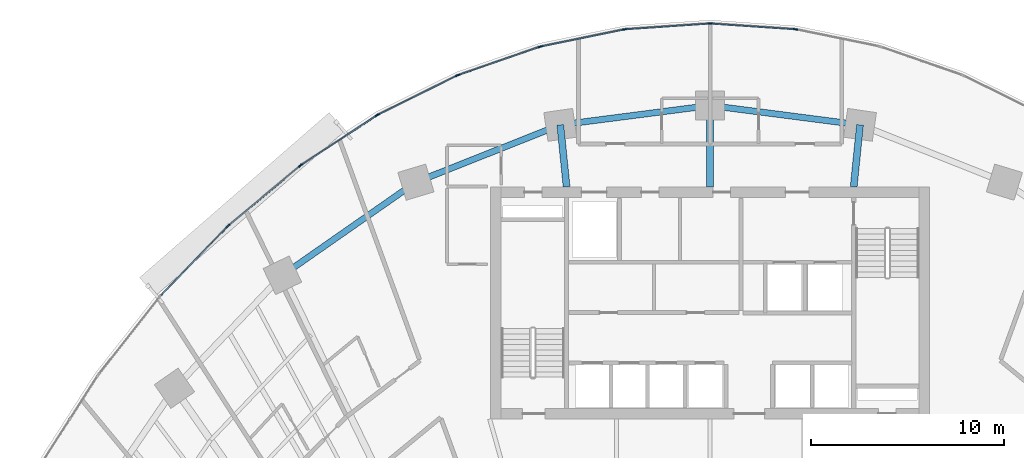
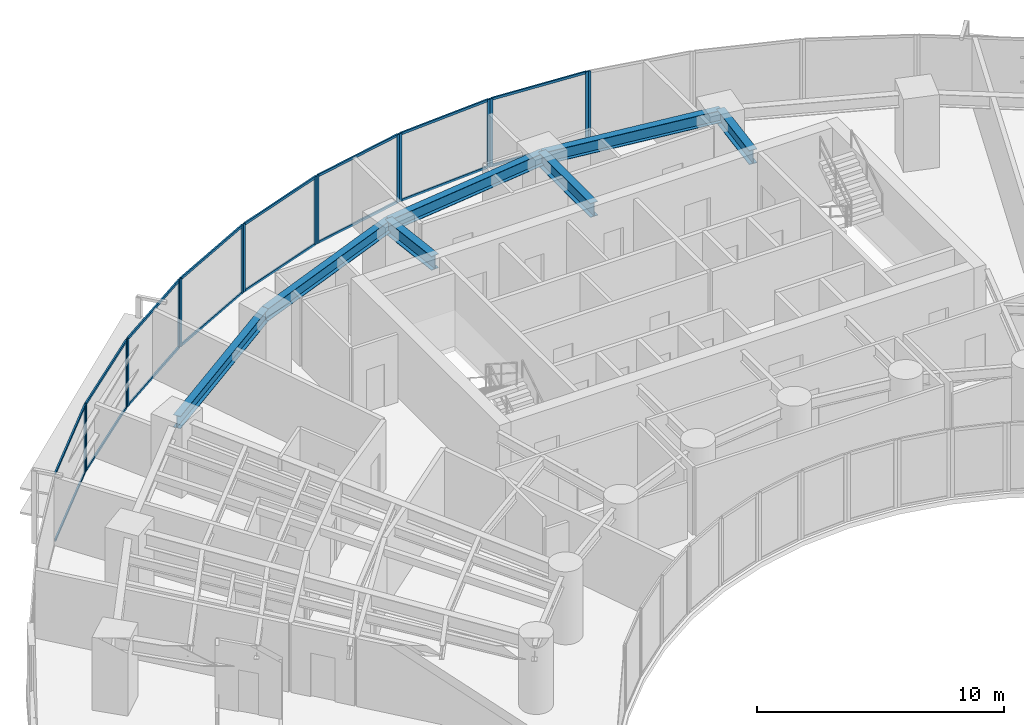
# One storey, part 6 of 17: 32 members, 7 beams, 9 elements without a shape of their own.
"""IFC4 building model written with IfcOpenShell, lengths in metres."""

from ifc_helpers import new_model, si_unit, direction, frame, origin, origin_2d, place, context, subcontext, project, spatial, rectangle, i_section, extrude, source, transform, mapped, material, layer, layer_set, material_profile, profile_set, type_object, type_shapes, element, aggregate, save


model = new_model("IFC4")

# Units and contexts
model_context = context("Model", 3, precision=1e-05, world=origin(), true_north=direction((0.0, 1.0)))
body_context = subcontext(model_context, "Body", "Model", "MODEL_VIEW")
ifc_project = project(units=[si_unit("LENGTHUNIT", "METRE"), si_unit("AREAUNIT", "SQUARE_METRE"), si_unit("VOLUMEUNIT", "CUBIC_METRE"), si_unit("PLANEANGLEUNIT", "RADIAN"), si_unit("MASSUNIT", "GRAM", prefix="KILO")], contexts=[model_context])

# Site, building, storey
site_placement = place(None, origin())
site = spatial("IfcSite", under=ifc_project, at=site_placement, CompositionType="ELEMENT")
building_placement = place(site_placement, origin())
building = spatial("IfcBuilding", under=site, at=building_placement, Name="Breltana Convention Tower", CompositionType="ELEMENT")
storey_placement = place(building_placement, frame((0.0, 0.0, 71.39990234375)))
storey = spatial("IfcBuildingStorey", under=building, at=storey_placement, Name="L16", CompositionType="ELEMENT", Elevation=71.39990234375)

# Beams
ifc_material_1 = material(Name="Steel ASTM A992 Grade 50", Category="steel")
ifc_material_profile_1 = material_profile(ifc_material_1, i_section(OverallWidth=0.323974609375, OverallDepth=0.611083984375, WebThickness=0.0126953125, FlangeThickness=0.01904296875, at=origin_2d()), Name="W24X104")
ifc_profile_set_1 = profile_set([ifc_material_profile_1], Name="Steel ASTM A992 Grade 50")
beam_type_1 = type_object("IfcBeamType", Name="BM-SP-W24X104", PredefinedType="SPANDREL", material=ifc_profile_set_1)
shared_shape_1 = source(origin(), body_context, "Body", "SweptSolid", [
    extrude(i_section(OverallWidth=0.323974609375, OverallDepth=0.611083984375, WebThickness=0.0126953125, FlangeThickness=0.01904296875, at=origin_2d()), origin(), (0.0, 0.0, 1.0), 8.4169921875),
])
beam_1_placement = place(storey_placement, frame((25.8876953125, 67.626953125, 3.0546875), z_axis=(0.820173800102, 0.572114444519, 0.0), x_axis=(-0.572114444519, 0.820173800102, 0.0)))
element("IfcBeam", 1, at=beam_1_placement, inside=storey, type_object=beam_type_1, Name="L16 Outer Spandrel Beam 03", PredefinedType="SPANDREL", context=body_context, shape_type="MappedRepresentation", body=[
    mapped(shared_shape_1, transform((0.0, 0.0, 0.0), scale=1.0)),
])
shared_shape_2 = source(origin(), body_context, "Body", "SweptSolid", [
    extrude(i_section(OverallWidth=0.323974609375, OverallDepth=0.611083984375, WebThickness=0.0126953125, FlangeThickness=0.01904296875, at=origin_2d()), origin(), (0.0, 0.0, 1.0), 8.028564453125),
])
beam_2_placement = place(storey_placement, frame((32.791015625, 72.4423828125, 3.0546875), z_axis=(0.929459100394, 0.368925169507, 0.0), x_axis=(-0.368925169507, 0.929459100394, 0.0)))
element("IfcBeam", 2, at=beam_2_placement, inside=storey, type_object=beam_type_1, Name="L16 Outer Spandrel Beam 04", PredefinedType="SPANDREL", context=body_context, shape_type="MappedRepresentation", body=[
    mapped(shared_shape_2, transform((0.0, 0.0, 0.0), scale=1.0)),
])
shared_shape_3 = source(origin(), body_context, "Body", "SweptSolid", [
    extrude(i_section(OverallWidth=0.323974609375, OverallDepth=0.611083984375, WebThickness=0.0126953125, FlangeThickness=0.01904296875, at=origin_2d()), origin(), (0.0, 0.0, 1.0), 7.81103515625),
])
for number, where, z_axis, x_axis, name in (
    (3, (40.253173828125, 75.404296875, 3.0546875), (0.991775179127, 0.127992164083, 0.0), (-0.127992164083, 0.991775179127, 0.0), "L16 Outer Spandrel Beam 05"),
    (4, (48.0, 76.404052734375, 3.0546875), (0.991775179127, -0.127992164083, 0.0), (0.127992164083, 0.991775179127, 0.0), "L16 Outer Spandrel Beam 06"),
):
    element("IfcBeam", number, at=place(storey_placement, frame(where, z_axis=z_axis, x_axis=x_axis)), inside=storey, type_object=beam_type_1, Name=name, PredefinedType="SPANDREL", context=body_context, shape_type="MappedRepresentation", body=[
        mapped(shared_shape_3, transform((0.0, 0.0, 0.0), scale=1.0)),
    ])
ifc_material_profile_2 = material_profile(ifc_material_1, i_section(OverallWidth=0.35498046875, OverallDepth=0.696044921875, WebThickness=0.015380859375, FlangeThickness=0.02490234375, at=origin_2d()), Name="W27X146")
ifc_profile_set_2 = profile_set([ifc_material_profile_2], Name="Steel ASTM A992 Grade 50")
beam_type_2 = type_object("IfcBeamType", Name="BM-RG-W27X146", PredefinedType="USERDEFINED", material=ifc_profile_set_2)
shared_shape_4 = source(origin(), body_context, "Body", "SweptSolid", [
    extrude(i_section(OverallWidth=0.35498046875, OverallDepth=0.696044921875, WebThickness=0.015380859375, FlangeThickness=0.02490234375, at=origin_2d()), origin(), (0.0, 0.0, 1.0), 3.220947265625),
])
for number, where, z_axis, x_axis, name in (
    (5, (40.580078125, 72.199951171875, 3.01220703125), (-0.101492254858, 0.994836329355, 0.0), (-0.994836329355, -0.101492254858, 0.0), "L16 North Core Radial Girder R05"),
    (6, (55.419921875, 72.199951171875, 3.01220703125), (0.101492254858, 0.994836329355, 0.0), (-0.994836329355, 0.101492254858, 0.0), "L16 North Core Radial Girder R07"),
):
    element("IfcBeam", number, at=place(storey_placement, frame(where, z_axis=z_axis, x_axis=x_axis)), inside=storey, type_object=beam_type_2, Name=name, ObjectType="GIRDER", PredefinedType="USERDEFINED", context=body_context, shape_type="MappedRepresentation", body=[
        mapped(shared_shape_4, transform((0.0, 0.0, 0.0), scale=1.0)),
    ])
shared_shape_5 = source(origin(), body_context, "Body", "SweptSolid", [
    extrude(i_section(OverallWidth=0.35498046875, OverallDepth=0.696044921875, WebThickness=0.015380859375, FlangeThickness=0.02490234375, at=origin_2d()), origin(), (0.0, 0.0, 1.0), 4.2041015625),
])
beam_3_placement = place(storey_placement, frame((48.0, 72.199951171875, 3.01220703125), z_axis=(0.0, 1.0, 0.0), x_axis=(-1.0, 0.0, 0.0)))
element("IfcBeam", 7, at=beam_3_placement, inside=storey, type_object=beam_type_2, Name="L16 North Core Radial Girder R06", ObjectType="GIRDER", PredefinedType="USERDEFINED", context=body_context, shape_type="MappedRepresentation", body=[
    mapped(shared_shape_5, transform((0.0, 0.0, 0.0), scale=1.0)),
])

# Curtain wall, member
ifc_material_2 = material(Name="Aluminium Anodised Bronze Frame", Category="aluminium")
ifc_layer = layer(ifc_material_2, 0.199951171875, Name="Aluminium Anodised Bronze Frame")
ifc_layer_set = layer_set([ifc_layer], Name="Aluminium Anodised Bronze Frame")
curtain_wall_type = type_object("IfcCurtainWallType", Name="CW-SYS-2", PredefinedType="NOTDEFINED", material=ifc_layer_set)
curtain_wall_1_placement = place(storey_placement, origin())
curtain_wall_1 = element("IfcCurtainWall", 8, at=curtain_wall_1_placement, inside=storey, type_object=curtain_wall_type, Name="L16 outer double-skin inner glazing 3", PredefinedType="NOTDEFINED")
ifc_material_3 = material(Name="Aluminium Anodised Bronze", Category="aluminium")
ifc_material_profile_3 = material_profile(ifc_material_3, rectangle(XDim=0.070068359375, YDim=0.175048828125, at=origin_2d()), Name="CWM-70X175")
ifc_profile_set_3 = profile_set([ifc_material_profile_3], Name="Aluminium Anodised Bronze")
member_type_1 = type_object("IfcMemberType", Name="CWM-175", PredefinedType="MULLION", material=ifc_profile_set_3)
shared_shape_6 = source(origin(), body_context, "Body", "SweptSolid", [
    extrude(rectangle(XDim=0.070068359375, YDim=0.175048828125, at=origin_2d()), origin(), (0.0, 0.0, 1.0), 3.360107421875),
])
type_shapes(member_type_1, [shared_shape_6])
member_1_placement = place(storey_placement, frame((23.044189453125, 70.147705078125, 0.0), z_axis=(0.0, 0.0, 1.0), x_axis=(-0.719386421003, 0.694610090106, 0.0)))
member_1 = element("IfcMember", 9, at=member_1_placement, type_object=member_type_1, Name="CW-02 mullion 2", PredefinedType="MULLION", context=body_context, shape_type="MappedRepresentation", body=[
    mapped(shared_shape_6, transform((0.0, 0.0, 0.0), scale=1.0)),
])

# Curtain wall, members
curtain_wall_2_placement = place(storey_placement, origin())
curtain_wall_2 = element("IfcCurtainWall", 10, at=curtain_wall_2_placement, inside=storey, type_object=curtain_wall_type, Name="L16 outer double-skin inner glazing 4", PredefinedType="NOTDEFINED")
member_2_placement = place(storey_placement, frame((23.09521484375, 70.1953125, 0.0), z_axis=(0.0, 0.0, 1.0), x_axis=(-0.640520193554, 0.767941326958, 0.0)))
member_2 = element("IfcMember", 11, at=member_2_placement, type_object=member_type_1, Name="CW-02 mullion 1", PredefinedType="MULLION", context=body_context, shape_type="MappedRepresentation", body=[
    mapped(shared_shape_6, transform((0.0, 0.0, 0.0), scale=1.0)),
])
member_3_placement = place(storey_placement, frame((26.79736328125, 73.283203125, 0.0), z_axis=(0.0, 0.0, 1.0), x_axis=(-0.640520193554, 0.767941326958, 0.0)))
member_3 = element("IfcMember", 12, at=member_3_placement, type_object=member_type_1, Name="CW-02 mullion 2", PredefinedType="MULLION", context=body_context, shape_type="MappedRepresentation", body=[
    mapped(shared_shape_6, transform((0.0, 0.0, 0.0), scale=1.0)),
])

curtain_wall_3_placement = place(storey_placement, origin())
curtain_wall_3 = element("IfcCurtainWall", 13, at=curtain_wall_3_placement, inside=storey, type_object=curtain_wall_type, Name="L16 outer double-skin inner glazing 5", PredefinedType="NOTDEFINED")
member_4_placement = place(storey_placement, frame((26.853515625, 73.32470703125, 0.0), z_axis=(0.0, 0.0, 1.0), x_axis=(-0.548784255746, 0.83596401875, 0.0)))
member_4 = element("IfcMember", 14, at=member_4_placement, type_object=member_type_1, Name="CW-02 mullion 1", PredefinedType="MULLION", context=body_context, shape_type="MappedRepresentation", body=[
    mapped(shared_shape_6, transform((0.0, 0.0, 0.0), scale=1.0)),
])
member_5_placement = place(storey_placement, frame((30.766357421875, 75.8935546875, 0.0), z_axis=(0.0, 0.0, 1.0), x_axis=(-0.548784255746, 0.83596401875, 0.0)))
member_5 = element("IfcMember", 15, at=member_5_placement, type_object=member_type_1, Name="CW-02 mullion 2", PredefinedType="MULLION", context=body_context, shape_type="MappedRepresentation", body=[
    mapped(shared_shape_6, transform((0.0, 0.0, 0.0), scale=1.0)),
])

curtain_wall_4_placement = place(storey_placement, origin())
curtain_wall_4 = element("IfcCurtainWall", 16, at=curtain_wall_4_placement, inside=storey, type_object=curtain_wall_type, Name="L16 outer double-skin inner glazing 6", PredefinedType="NOTDEFINED")
member_6_placement = place(storey_placement, frame((30.8271484375, 75.92822265625, 0.0), z_axis=(0.0, 0.0, 1.0), x_axis=(-0.444107703726, 0.895973407804, 0.0)))
member_6 = element("IfcMember", 17, at=member_6_placement, type_object=member_type_1, Name="CW-02 mullion 1", PredefinedType="MULLION", context=body_context, shape_type="MappedRepresentation", body=[
    mapped(shared_shape_6, transform((0.0, 0.0, 0.0), scale=1.0)),
])
member_7_placement = place(storey_placement, frame((34.910400390625, 77.9521484375, 0.0), z_axis=(0.0, 0.0, 1.0), x_axis=(-0.444107703726, 0.895973407804, 0.0)))
member_7 = element("IfcMember", 18, at=member_7_placement, type_object=member_type_1, Name="CW-02 mullion 2", PredefinedType="MULLION", context=body_context, shape_type="MappedRepresentation", body=[
    mapped(shared_shape_6, transform((0.0, 0.0, 0.0), scale=1.0)),
])

curtain_wall_5_placement = place(storey_placement, origin())
curtain_wall_5 = element("IfcCurtainWall", 19, at=curtain_wall_5_placement, inside=storey, type_object=curtain_wall_type, Name="L16 outer double-skin inner glazing 7", PredefinedType="NOTDEFINED")
member_8_placement = place(storey_placement, frame((34.974853515625, 77.979248046875, 0.0), z_axis=(0.0, 0.0, 1.0), x_axis=(-0.32742834581, 0.944876012163, 0.0)))
member_8 = element("IfcMember", 20, at=member_8_placement, type_object=member_type_1, Name="CW-02 mullion 1", PredefinedType="MULLION", context=body_context, shape_type="MappedRepresentation", body=[
    mapped(shared_shape_6, transform((0.0, 0.0, 0.0), scale=1.0)),
])
member_9_placement = place(storey_placement, frame((39.1875, 79.43896484375, 0.0), z_axis=(0.0, 0.0, 1.0), x_axis=(-0.32742834581, 0.944876012163, 0.0)))
member_9 = element("IfcMember", 21, at=member_9_placement, type_object=member_type_1, Name="CW-02 mullion 2", PredefinedType="MULLION", context=body_context, shape_type="MappedRepresentation", body=[
    mapped(shared_shape_6, transform((0.0, 0.0, 0.0), scale=1.0)),
])

curtain_wall_6_placement = place(storey_placement, origin())
curtain_wall_6 = element("IfcCurtainWall", 22, at=curtain_wall_6_placement, inside=storey, type_object=curtain_wall_type, Name="L16 outer double-skin inner glazing 8", PredefinedType="NOTDEFINED")
member_10_placement = place(storey_placement, frame((39.2548828125, 79.45751953125, 0.0), z_axis=(0.0, 0.0, 1.0), x_axis=(-0.200884537139, 0.979614925743, 0.0)))
member_10 = element("IfcMember", 23, at=member_10_placement, type_object=member_type_1, Name="CW-02 mullion 1", PredefinedType="MULLION", context=body_context, shape_type="MappedRepresentation", body=[
    mapped(shared_shape_6, transform((0.0, 0.0, 0.0), scale=1.0)),
])
member_11_placement = place(storey_placement, frame((43.5537109375, 80.339111328125, 0.0), z_axis=(0.0, 0.0, 1.0), x_axis=(-0.200884537139, 0.979614925743, 0.0)))
member_11 = element("IfcMember", 24, at=member_11_placement, type_object=member_type_1, Name="CW-02 mullion 2", PredefinedType="MULLION", context=body_context, shape_type="MappedRepresentation", body=[
    mapped(shared_shape_6, transform((0.0, 0.0, 0.0), scale=1.0)),
])

curtain_wall_7_placement = place(storey_placement, origin())
curtain_wall_7 = element("IfcCurtainWall", 25, at=curtain_wall_7_placement, inside=storey, type_object=curtain_wall_type, Name="L16 outer double-skin inner glazing 9", PredefinedType="NOTDEFINED")
member_12_placement = place(storey_placement, frame((43.622802734375, 80.348388671875, 0.0), z_axis=(0.0, 0.0, 1.0), x_axis=(-0.067725650529, 0.997703982282, 0.0)))
member_12 = element("IfcMember", 26, at=member_12_placement, type_object=member_type_1, Name="CW-02 mullion 1", PredefinedType="MULLION", context=body_context, shape_type="MappedRepresentation", body=[
    mapped(shared_shape_6, transform((0.0, 0.0, 0.0), scale=1.0)),
])
member_13_placement = place(storey_placement, frame((47.965087890625, 80.643310546875, 0.0), z_axis=(0.0, 0.0, 1.0), x_axis=(-0.067725650529, 0.997703982282, 0.0)))
member_13 = element("IfcMember", 27, at=member_13_placement, type_object=member_type_1, Name="CW-02 mullion 2", PredefinedType="MULLION", context=body_context, shape_type="MappedRepresentation", body=[
    mapped(shared_shape_6, transform((0.0, 0.0, 0.0), scale=1.0)),
])

curtain_wall_8_placement = place(storey_placement, origin())
curtain_wall_8 = element("IfcCurtainWall", 28, at=curtain_wall_8_placement, inside=storey, type_object=curtain_wall_type, Name="L16 outer double-skin inner glazing 10", PredefinedType="NOTDEFINED")
member_14_placement = place(storey_placement, frame((48.034912109375, 80.643310546875, 0.0), z_axis=(0.0, 0.0, 1.0), x_axis=(0.067725650529, 0.997703982282, 0.0)))
member_14 = element("IfcMember", 29, at=member_14_placement, type_object=member_type_1, Name="CW-02 mullion 1", PredefinedType="MULLION", context=body_context, shape_type="MappedRepresentation", body=[
    mapped(shared_shape_6, transform((0.0, 0.0, 0.0), scale=1.0)),
])
member_15_placement = place(storey_placement, frame((52.377197265625, 80.348388671875, 0.0), z_axis=(0.0, 0.0, 1.0), x_axis=(0.067725650529, 0.997703982282, 0.0)))
member_15 = element("IfcMember", 30, at=member_15_placement, type_object=member_type_1, Name="CW-02 mullion 2", PredefinedType="MULLION", context=body_context, shape_type="MappedRepresentation", body=[
    mapped(shared_shape_6, transform((0.0, 0.0, 0.0), scale=1.0)),
])

# Curtain wall, member
curtain_wall_9_placement = place(storey_placement, origin())
curtain_wall_9 = element("IfcCurtainWall", 31, at=curtain_wall_9_placement, inside=storey, type_object=curtain_wall_type, Name="L16 outer double-skin inner glazing 11", PredefinedType="NOTDEFINED")
member_16_placement = place(storey_placement, frame((52.4462890625, 80.339111328125, 0.0), z_axis=(0.0, 0.0, 1.0), x_axis=(0.200884537139, 0.979614925743, 0.0)))
member_16 = element("IfcMember", 32, at=member_16_placement, type_object=member_type_1, Name="CW-02 mullion 1", PredefinedType="MULLION", context=body_context, shape_type="MappedRepresentation", body=[
    mapped(shared_shape_6, transform((0.0, 0.0, 0.0), scale=1.0)),
])
aggregate(curtain_wall_9, [member_16])

# Member
ifc_material_profile_4 = material_profile(ifc_material_3, rectangle(XDim=0.070068359375, YDim=0.1201171875, at=origin_2d()), Name="CWT-70X120")
ifc_profile_set_4 = profile_set([ifc_material_profile_4], Name="Aluminium Anodised Bronze")
member_type_2 = type_object("IfcMemberType", Name="CWT-120", PredefinedType="USERDEFINED", material=ifc_profile_set_4)
shared_shape_7 = source(origin(), body_context, "Body", "SweptSolid", [
    extrude(rectangle(XDim=0.070068359375, YDim=0.1201171875, at=origin_2d()), origin(), (0.0, 0.0, 1.0), 4.901123046875),
])
member_17_placement = place(storey_placement, frame((19.615478515625, 66.5966796875, 0.03515625), z_axis=(0.6945945137, 0.719401460617, 0.0), x_axis=(-0.719401460617, 0.6945945137, 0.0)))
member_17 = element("IfcMember", 33, at=member_17_placement, type_object=member_type_2, Name="CW-02 transom 1.1", ObjectType="TRANSOM", PredefinedType="USERDEFINED", context=body_context, shape_type="MappedRepresentation", body=[
    mapped(shared_shape_7, transform((0.0, 0.0, 0.0), scale=1.0)),
])

member_18_placement = place(storey_placement, frame((19.615478515625, 66.5966796875, 3.3251953125), z_axis=(0.6945945137, 0.719401460617, 0.0), x_axis=(-0.719401460617, 0.6945945137, 0.0)))
member_18 = element("IfcMember", 34, at=member_18_placement, type_object=member_type_2, Name="CW-02 transom 1.2", ObjectType="TRANSOM", PredefinedType="USERDEFINED", context=body_context, shape_type="MappedRepresentation", body=[
    mapped(shared_shape_7, transform((0.0, 0.0, 0.0), scale=1.0)),
])

aggregate(curtain_wall_1, [member_1, member_17, member_18])

shared_shape_8 = source(origin(), body_context, "Body", "SweptSolid", [
    extrude(rectangle(XDim=0.070068359375, YDim=0.1201171875, at=origin_2d()), origin(), (0.0, 0.0, 1.0), 4.7509765625),
])
member_19_placement = place(storey_placement, frame((23.1220703125, 70.2177734375, 0.03515625), z_axis=(0.767951631807, 0.64050783852, 0.0), x_axis=(-0.64050783852, 0.767951631807, 0.0)))
member_19 = element("IfcMember", 35, at=member_19_placement, type_object=member_type_2, Name="CW-02 transom 1.1", ObjectType="TRANSOM", PredefinedType="USERDEFINED", context=body_context, shape_type="MappedRepresentation", body=[
    mapped(shared_shape_8, transform((0.0, 0.0, 0.0), scale=1.0)),
])

member_20_placement = place(storey_placement, frame((23.1220703125, 70.2177734375, 3.3251953125), z_axis=(0.767951631807, 0.64050783852, 0.0), x_axis=(-0.64050783852, 0.767951631807, 0.0)))
member_20 = element("IfcMember", 36, at=member_20_placement, type_object=member_type_2, Name="CW-02 transom 1.2", ObjectType="TRANSOM", PredefinedType="USERDEFINED", context=body_context, shape_type="MappedRepresentation", body=[
    mapped(shared_shape_8, transform((0.0, 0.0, 0.0), scale=1.0)),
])

aggregate(curtain_wall_2, [member_2, member_3, member_19, member_20])

shared_shape_9 = source(origin(), body_context, "Body", "SweptSolid", [
    extrude(rectangle(XDim=0.070068359375, YDim=0.1201171875, at=origin_2d()), origin(), (0.0, 0.0, 1.0), 4.610595703125),
])
member_21_placement = place(storey_placement, frame((26.8828125, 73.343994140625, 0.03515625), z_axis=(0.835956055104, 0.54879638659, 0.0), x_axis=(-0.54879638659, 0.835956055104, 0.0)))
member_21 = element("IfcMember", 37, at=member_21_placement, type_object=member_type_2, Name="CW-02 transom 1.1", ObjectType="TRANSOM", PredefinedType="USERDEFINED", context=body_context, shape_type="MappedRepresentation", body=[
    mapped(shared_shape_9, transform((0.0, 0.0, 0.0), scale=1.0)),
])

member_22_placement = place(storey_placement, frame((26.8828125, 73.343994140625, 3.3251953125), z_axis=(0.835956055104, 0.54879638659, 0.0), x_axis=(-0.54879638659, 0.835956055104, 0.0)))
member_22 = element("IfcMember", 38, at=member_22_placement, type_object=member_type_2, Name="CW-02 transom 1.2", ObjectType="TRANSOM", PredefinedType="USERDEFINED", context=body_context, shape_type="MappedRepresentation", body=[
    mapped(shared_shape_9, transform((0.0, 0.0, 0.0), scale=1.0)),
])

aggregate(curtain_wall_3, [member_4, member_5, member_21, member_22])

shared_shape_10 = source(origin(), body_context, "Body", "SweptSolid", [
    extrude(rectangle(XDim=0.070068359375, YDim=0.1201171875, at=origin_2d()), origin(), (0.0, 0.0, 1.0), 4.487548828125),
])
member_23_placement = place(storey_placement, frame((30.8583984375, 75.94384765625, 0.03515625), z_axis=(0.895977728863, 0.444098986017, 0.0), x_axis=(-0.444098986017, 0.895977728863, 0.0)))
member_23 = element("IfcMember", 39, at=member_23_placement, type_object=member_type_2, Name="CW-02 transom 1.1", ObjectType="TRANSOM", PredefinedType="USERDEFINED", context=body_context, shape_type="MappedRepresentation", body=[
    mapped(shared_shape_10, transform((0.0, 0.0, 0.0), scale=1.0)),
])

member_24_placement = place(storey_placement, frame((30.8583984375, 75.94384765625, 3.3251953125), z_axis=(0.895977728863, 0.444098986017, 0.0), x_axis=(-0.444098986017, 0.895977728863, 0.0)))
member_24 = element("IfcMember", 40, at=member_24_placement, type_object=member_type_2, Name="CW-02 transom 1.2", ObjectType="TRANSOM", PredefinedType="USERDEFINED", context=body_context, shape_type="MappedRepresentation", body=[
    mapped(shared_shape_10, transform((0.0, 0.0, 0.0), scale=1.0)),
])

aggregate(curtain_wall_4, [member_6, member_7, member_23, member_24])

shared_shape_11 = source(origin(), body_context, "Body", "SweptSolid", [
    extrude(rectangle(XDim=0.070068359375, YDim=0.1201171875, at=origin_2d()), origin(), (0.0, 0.0, 1.0), 4.38818359375),
])
member_25_placement = place(storey_placement, frame((35.008056640625, 77.99072265625, 0.03515625), z_axis=(0.944878203019, 0.32742202348, 0.0), x_axis=(-0.32742202348, 0.944878203019, 0.0)))
member_25 = element("IfcMember", 41, at=member_25_placement, type_object=member_type_2, Name="CW-02 transom 1.1", ObjectType="TRANSOM", PredefinedType="USERDEFINED", context=body_context, shape_type="MappedRepresentation", body=[
    mapped(shared_shape_11, transform((0.0, 0.0, 0.0), scale=1.0)),
])

member_26_placement = place(storey_placement, frame((35.008056640625, 77.99072265625, 3.3251953125), z_axis=(0.944878203019, 0.32742202348, 0.0), x_axis=(-0.32742202348, 0.944878203019, 0.0)))
member_26 = element("IfcMember", 42, at=member_26_placement, type_object=member_type_2, Name="CW-02 transom 1.2", ObjectType="TRANSOM", PredefinedType="USERDEFINED", context=body_context, shape_type="MappedRepresentation", body=[
    mapped(shared_shape_11, transform((0.0, 0.0, 0.0), scale=1.0)),
])

aggregate(curtain_wall_5, [member_8, member_9, member_25, member_26])

shared_shape_12 = source(origin(), body_context, "Body", "SweptSolid", [
    extrude(rectangle(XDim=0.070068359375, YDim=0.1201171875, at=origin_2d()), origin(), (0.0, 0.0, 1.0), 4.318359375),
])
member_27_placement = place(storey_placement, frame((39.2890625, 79.464599609375, 0.03515625), z_axis=(0.979616680923, 0.200875977799, 0.0), x_axis=(-0.200875977799, 0.979616680923, 0.0)))
member_27 = element("IfcMember", 43, at=member_27_placement, type_object=member_type_2, Name="CW-02 transom 1.1", ObjectType="TRANSOM", PredefinedType="USERDEFINED", context=body_context, shape_type="MappedRepresentation", body=[
    mapped(shared_shape_12, transform((0.0, 0.0, 0.0), scale=1.0)),
])

member_28_placement = place(storey_placement, frame((39.2890625, 79.464599609375, 3.3251953125), z_axis=(0.979616680923, 0.200875977799, 0.0), x_axis=(-0.200875977799, 0.979616680923, 0.0)))
member_28 = element("IfcMember", 44, at=member_28_placement, type_object=member_type_2, Name="CW-02 transom 1.2", ObjectType="TRANSOM", PredefinedType="USERDEFINED", context=body_context, shape_type="MappedRepresentation", body=[
    mapped(shared_shape_12, transform((0.0, 0.0, 0.0), scale=1.0)),
])

aggregate(curtain_wall_6, [member_10, member_11, member_27, member_28])

shared_shape_13 = source(origin(), body_context, "Body", "SweptSolid", [
    extrude(rectangle(XDim=0.070068359375, YDim=0.1201171875, at=origin_2d()), origin(), (0.0, 0.0, 1.0), 4.2822265625),
])
member_29_placement = place(storey_placement, frame((43.65771484375, 80.350830078125, 0.03515625), z_axis=(0.997703698684, 0.067729828231, 0.0), x_axis=(-0.067729828231, 0.997703698684, 0.0)))
member_29 = element("IfcMember", 45, at=member_29_placement, type_object=member_type_2, Name="CW-02 transom 1.1", ObjectType="TRANSOM", PredefinedType="USERDEFINED", context=body_context, shape_type="MappedRepresentation", body=[
    mapped(shared_shape_13, transform((0.0, 0.0, 0.0), scale=1.0)),
])

member_30_placement = place(storey_placement, frame((43.65771484375, 80.350830078125, 3.3251953125), z_axis=(0.997703698684, 0.067729828231, 0.0), x_axis=(-0.067729828231, 0.997703698684, 0.0)))
member_30 = element("IfcMember", 46, at=member_30_placement, type_object=member_type_2, Name="CW-02 transom 1.2", ObjectType="TRANSOM", PredefinedType="USERDEFINED", context=body_context, shape_type="MappedRepresentation", body=[
    mapped(shared_shape_13, transform((0.0, 0.0, 0.0), scale=1.0)),
])

aggregate(curtain_wall_7, [member_12, member_13, member_29, member_30])

member_31_placement = place(storey_placement, frame((48.06982421875, 80.640869140625, 0.03515625), z_axis=(0.997703698684, -0.067729828231, 0.0), x_axis=(0.067729828231, 0.997703698684, 0.0)))
member_31 = element("IfcMember", 47, at=member_31_placement, type_object=member_type_2, Name="CW-02 transom 1.1", ObjectType="TRANSOM", PredefinedType="USERDEFINED", context=body_context, shape_type="MappedRepresentation", body=[
    mapped(shared_shape_13, transform((0.0, 0.0, 0.0), scale=1.0)),
])

member_32_placement = place(storey_placement, frame((48.06982421875, 80.640869140625, 3.3251953125), z_axis=(0.997703698684, -0.067729828231, 0.0), x_axis=(0.067729828231, 0.997703698684, 0.0)))
member_32 = element("IfcMember", 48, at=member_32_placement, type_object=member_type_2, Name="CW-02 transom 1.2", ObjectType="TRANSOM", PredefinedType="USERDEFINED", context=body_context, shape_type="MappedRepresentation", body=[
    mapped(shared_shape_13, transform((0.0, 0.0, 0.0), scale=1.0)),
])

aggregate(curtain_wall_8, [member_14, member_15, member_31, member_32])

save(model, "model.ifc")
